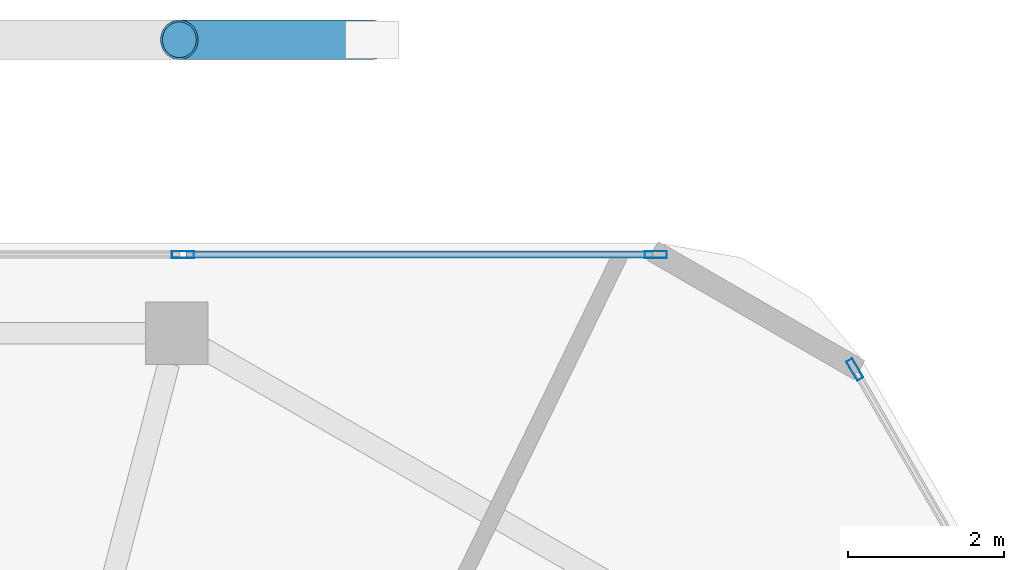
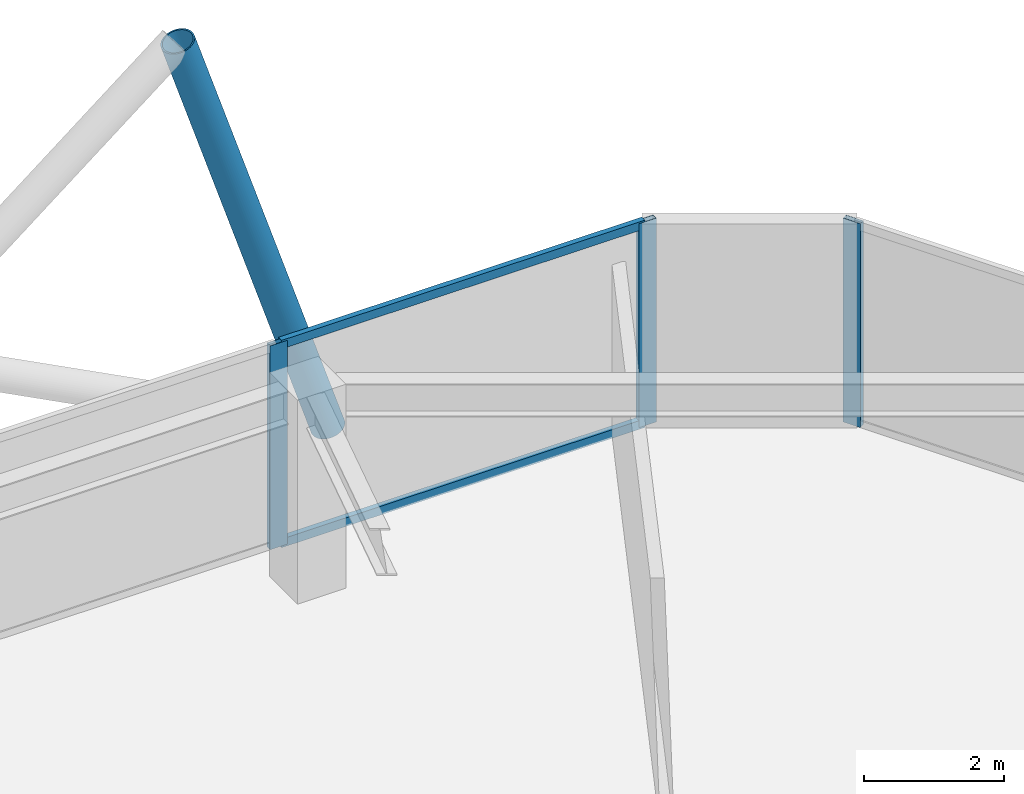
# One storey, part 14 of 23: 6 members, 2 elements without a shape of their own.
"""IFC4 building model written with IfcOpenShell, lengths in metres."""

import ifcopenshell
import ifcopenshell.guid

model = None  # the IFC model being written
_history = None  # IfcOwnerHistory: only IFC2X3 demands one
_inside = {}  # id of a spatial element -> (the spatial element, [elements in it])
_under = {}  # id of a project, library or spatial element -> (it, [spatial elements below it])
_declared = {}  # id of a project -> (the project, [libraries it declares])
_typed = {}  # id of a type object -> (the type object, [elements of that type])
_made_of = {}  # id of a material, layer set ... -> (it, [elements and type objects made of it])


def new_model(schema):
    """Start an empty IFC model of exactly this schema.

    Asked for "IFC4X3", IfcOpenShell would pick the latest addendum, in which some entities
    have other attributes; the version numbers below select the first issue.
    IFC2X3 requires an IfcOwnerHistory on every rooted entity: one is made here for all.
    """
    global model, _history
    if schema == "IFC4X3":
        model = ifcopenshell.file(schema_version=(4, 3, 0, 0))
    else:
        model = ifcopenshell.file(schema=schema)
    _inside.clear()
    _under.clear()
    _declared.clear()
    _typed.clear()
    _made_of.clear()
    _history = None
    if model.schema == "IFC2X3":
        org = make("IfcOrganization", Name="unknown")
        user = make(
            "IfcPersonAndOrganization",
            ThePerson=make("IfcPerson", FamilyName="unknown"),
            TheOrganization=org,
        )
        app = make(
            "IfcApplication",
            ApplicationDeveloper=org,
            Version="unknown",
            ApplicationFullName="unknown",
            ApplicationIdentifier="unknown",
        )
        _history = make(
            "IfcOwnerHistory",
            OwningUser=user,
            OwningApplication=app,
            ChangeAction="ADDED",
            CreationDate=0,
        )
    return model


def make(cls, **values):
    """One entity of the class cls with the attributes given. An attribute that is None is left unset."""
    return model.create_entity(
        cls, **{name: value for name, value in values.items() if value is not None}
    )


def rooted(cls, **values):
    """An entity with a GlobalId (a new one), such as an element, a storey or a relation."""
    return make(cls, GlobalId=ifcopenshell.guid.new(), OwnerHistory=_history, **values)


def si_unit(unit_type, name, prefix=None):
    """IfcSIUnit, for example si_unit("LENGTHUNIT", "METRE", prefix="MILLI")."""
    return make("IfcSIUnit", UnitType=unit_type, Prefix=prefix, Name=name)


def assignment(units):
    """IfcUnitAssignment: the units of a project."""
    return None if units is None else make("IfcUnitAssignment", Units=units)


def point(xyz):
    """IfcCartesianPoint."""
    return None if xyz is None else make("IfcCartesianPoint", Coordinates=xyz)


def direction(xyz):
    """IfcDirection."""
    return None if xyz is None else make("IfcDirection", DirectionRatios=xyz)


def frame(location, z_axis=None, x_axis=None):
    """IfcAxis2Placement3D, a coordinate frame: its origin and axes. An axis left out is left unset."""
    return make(
        "IfcAxis2Placement3D",
        Location=point(location),
        Axis=direction(z_axis),
        RefDirection=direction(x_axis),
    )


def frame_2d(location, x_axis=None):
    """IfcAxis2Placement2D, a coordinate frame in the plane: its origin and x axis."""
    return make(
        "IfcAxis2Placement2D", Location=point(location), RefDirection=direction(x_axis)
    )


def origin():
    """The frame at (0, 0, 0) with its axes left unset."""
    return frame((0.0, 0.0, 0.0))


def origin_2d():
    """The frame at (0, 0) in the plane with its x axis left unset."""
    return frame_2d((0.0, 0.0))


def place(relative_to, where):
    """IfcLocalPlacement: puts the frame where relative to a parent placement (None: the world)."""
    return make(
        "IfcLocalPlacement", PlacementRelTo=relative_to, RelativePlacement=where
    )


def context(
    kind, dimensions, precision=None, world=None, true_north=None, identifier=None
):
    """IfcGeometricRepresentationContext, for example the 3D "Model" context."""
    return make(
        "IfcGeometricRepresentationContext",
        ContextIdentifier=identifier,
        ContextType=kind,
        CoordinateSpaceDimension=dimensions,
        Precision=precision,
        WorldCoordinateSystem=world,
        TrueNorth=true_north,
    )


def subcontext(parent, identifier, kind, view, scale=None):
    """IfcGeometricRepresentationSubContext, for example "Body" below "Model"."""
    return make(
        "IfcGeometricRepresentationSubContext",
        ContextIdentifier=identifier,
        ContextType=kind,
        ParentContext=parent,
        TargetScale=scale,
        TargetView=view,
    )


def project(units=None, contexts=None):
    """IfcProject with its units and contexts."""
    return rooted(
        "IfcProject",
        Name="project",
        RepresentationContexts=contexts,
        UnitsInContext=assignment(units),
    )


def spatial(cls, under=None, at=None, **own):
    """A site, building, storey or space (cls), placed at a placement, below another one or the project."""
    s = rooted(cls, ObjectPlacement=at, **own)
    if under is not None:
        _under.setdefault(under.id(), (under, []))[1].append(s)
    return s


def profile(cls, at=None, kind="AREA", **sizes):
    """A parametric profile (cls). Its sizes go by their IFC names, for example OverallWidth=200.0."""
    return make(cls, ProfileType=kind, Position=at, **sizes)


def hollow_rectangle(**sizes):
    """IfcRectangleHollowProfileDef."""
    return profile("IfcRectangleHollowProfileDef", **sizes)


def hollow_circle(**sizes):
    """IfcCircleHollowProfileDef."""
    return profile("IfcCircleHollowProfileDef", **sizes)


def extrude(swept, where, along, depth):
    """IfcExtrudedAreaSolid: the profile swept, set in the frame where, extruded along a direction by depth."""
    return make(
        "IfcExtrudedAreaSolid",
        SweptArea=swept,
        Position=where,
        ExtrudedDirection=direction(along),
        Depth=depth,
    )


def shape(context_of_items, identifier, shape_type, items):
    """IfcShapeRepresentation: the items that make up one representation, for example the "Body"."""
    return make(
        "IfcShapeRepresentation",
        ContextOfItems=context_of_items,
        RepresentationIdentifier=identifier,
        RepresentationType=shape_type,
        Items=items,
    )


def material(Name=None, Category=None):
    """IfcMaterial."""
    return make("IfcMaterial", Name=Name, Category=Category)


def material_profile(
    of_material, cross_section, Name=None, Category=None, Priority=None
):
    """IfcMaterialProfile: a cross section and its material."""
    return make(
        "IfcMaterialProfile",
        Name=Name,
        Material=of_material,
        Profile=cross_section,
        Priority=Priority,
        Category=Category,
    )


def profile_set(profiles, Name=None, composite=None):
    """IfcMaterialProfileSet."""
    return make(
        "IfcMaterialProfileSet",
        Name=Name,
        MaterialProfiles=profiles,
        CompositeProfile=composite,
    )


def made_of(thing, what):
    """Note that an element or type object is made of a material, layer set ...; save() writes the relation."""
    if what is not None:
        _made_of.setdefault(what.id(), (what, []))[1].append(thing)
    return thing


def type_object(cls, material=None, **own):
    """A type object (cls), such as IfcWallType, which elements share."""
    return made_of(rooted(cls, **own), material)


def element(
    cls,
    number,
    at=None,
    inside=None,
    cuts=None,
    type_object=None,
    material=None,
    context=None,
    identifier="Body",
    shape_type=None,
    held_by="IfcProductDefinitionShape",
    body=None,
    shapes=None,
    **own,
):
    """One element of the class cls, such as IfcWall. Its Tag is "e" and its number.

    at: its placement. inside: the storey or other place that contains it. cuts: it is an
    opening in that element (IfcRelVoidsElement). A single representation is given by context,
    identifier, shape_type and body (its items); several are given by shapes. held_by: the class
    of the entity that holds the representations. save() writes the other relations.
    """
    e = rooted(cls, Tag="e%d" % number, ObjectPlacement=at, **own)
    if body is not None:
        shapes = [shape(context, identifier, shape_type, body)]
    if shapes is not None:
        e.Representation = make(held_by, Representations=shapes)
    if inside is not None:
        _inside.setdefault(inside.id(), (inside, []))[1].append(e)
    if cuts is not None:
        rooted(
            "IfcRelVoidsElement", RelatingBuildingElement=cuts, RelatedOpeningElement=e
        )
    if type_object is not None:
        _typed.setdefault(type_object.id(), (type_object, []))[1].append(e)
    return made_of(e, material)


def aggregate(whole, parts):
    """IfcRelAggregates: a whole, such as a stair, and the parts it consists of."""
    return rooted("IfcRelAggregates", RelatingObject=whole, RelatedObjects=parts)


def save(model, path):
    """Write the relations noted so far, then the file.

    IfcRelAggregates (storeys below a building ...), IfcRelContainedInSpatialStructure (elements
    in a storey), IfcRelDefinesByType, IfcRelAssociatesMaterial and IfcRelDeclares: one each for
    every whole, place, type object, material and project.
    """
    for whole, parts in _under.values():
        aggregate(whole, parts)
    for where, things in _inside.values():
        rooted(
            "IfcRelContainedInSpatialStructure",
            RelatedElements=things,
            RelatingStructure=where,
        )
    for kind, things in _typed.values():
        rooted("IfcRelDefinesByType", RelatedObjects=things, RelatingType=kind)
    for what, things in _made_of.values():
        rooted("IfcRelAssociatesMaterial", RelatedObjects=things, RelatingMaterial=what)
    for by, libraries in _declared.values():
        rooted("IfcRelDeclares", RelatingContext=by, RelatedDefinitions=libraries)
    model.write(path)


model = new_model("IFC4")

# Units and contexts
model_context = context("Model", 3, precision=1e-05, world=origin(), true_north=direction((0.0, 1.0)))
body_context = subcontext(model_context, "Body", "Model", "MODEL_VIEW")
ifc_project = project(units=[si_unit("LENGTHUNIT", "METRE"), si_unit("AREAUNIT", "SQUARE_METRE"), si_unit("VOLUMEUNIT", "CUBIC_METRE"), si_unit("PLANEANGLEUNIT", "RADIAN"), si_unit("MASSUNIT", "GRAM", prefix="KILO")], contexts=[model_context])

# Site, building, storey
site_placement = place(None, origin())
site = spatial("IfcSite", under=ifc_project, at=site_placement, CompositionType="ELEMENT")
building_placement = place(site_placement, origin())
building = spatial("IfcBuilding", under=site, at=building_placement, Name="Zuhravey Tower", CompositionType="ELEMENT")
storey_placement = place(building_placement, frame((0.0, 0.0, 315.800048828125)))
storey = spatial("IfcBuildingStorey", under=building, at=storey_placement, Name="L80", CompositionType="ELEMENT", Elevation=315.800048828125)

# Curtain wall, members
ifc_material_1 = material(Name="Thermally broken anodised aluminium", Category="aluminium")
curtain_wall_type = type_object("IfcCurtainWallType", Name="Zone 3-4 High-Rise Curtain Wall CW4", PredefinedType="NOTDEFINED", material=ifc_material_1)
curtain_wall_1_placement = place(storey_placement, origin())
curtain_wall_1 = element("IfcCurtainWall", 1, at=curtain_wall_1_placement, inside=storey, type_object=curtain_wall_type, Name="L80 CW4 CW-L80-F2-1", PredefinedType="NOTDEFINED")
ifc_material_2 = material(Name="Anodised aluminium", Category="aluminium")
ifc_material_profile_1 = material_profile(ifc_material_2, hollow_rectangle(XDim=0.090087890625, YDim=0.284912109375, WallThickness=0.0048828125, at=origin_2d()), Name="ALU-RHS-90x285x5")
ifc_profile_set_1 = profile_set([ifc_material_profile_1], Name="Anodised aluminium")
member_type_1 = type_object("IfcMemberType", Name="Curtain-Wall Mullion 90x180", PredefinedType="MULLION", material=ifc_profile_set_1)
member_1_placement = place(storey_placement, frame((42.11962890625, 56.07421875, 0.0), z_axis=(0.0, 0.0, 1.0), x_axis=(0.0, 1.0, 0.0)))
member_1 = element("IfcMember", 2, at=member_1_placement, type_object=member_type_1, Name="CW4 mullion 4", PredefinedType="MULLION", context=body_context, shape_type="SweptSolid", body=[
    extrude(hollow_rectangle(XDim=0.090087890625, YDim=0.284912109375, WallThickness=0.0048828125, at=origin_2d()), origin(), (0.0, 0.0, 1.0), 3.550048828125),
])
member_2_placement = place(storey_placement, frame((48.1943359375, 56.07421875, 0.0), z_axis=(0.0, 0.0, 1.0), x_axis=(0.0, 1.0, 0.0)))
member_2 = element("IfcMember", 3, at=member_2_placement, type_object=member_type_1, Name="CW4 mullion 5", PredefinedType="MULLION", context=body_context, shape_type="SweptSolid", body=[
    extrude(hollow_rectangle(XDim=0.090087890625, YDim=0.284912109375, WallThickness=0.0048828125, at=origin_2d()), origin(), (0.0, 0.0, 1.0), 3.550048828125),
])

# Curtain wall, member
curtain_wall_2_placement = place(storey_placement, origin())
curtain_wall_2 = element("IfcCurtainWall", 4, at=curtain_wall_2_placement, inside=storey, type_object=curtain_wall_type, Name="L80 CW4 CW-L80-F1-1", PredefinedType="NOTDEFINED")
member_3_placement = place(storey_placement, frame((50.751708984375, 54.59765625, 0.0), z_axis=(0.0, 0.0, 1.0), x_axis=(0.866025511541, 0.49999981336, 0.0)))
member_3 = element("IfcMember", 5, at=member_3_placement, type_object=member_type_1, Name="CW4 mullion 1", PredefinedType="MULLION", context=body_context, shape_type="SweptSolid", body=[
    extrude(hollow_rectangle(XDim=0.090087890625, YDim=0.284912109375, WallThickness=0.0048828125, at=origin_2d()), origin(), (0.0, 0.0, 1.0), 3.550048828125),
])
aggregate(curtain_wall_2, [member_3])

# Member
ifc_material_profile_2 = material_profile(ifc_material_2, hollow_rectangle(XDim=0.090087890625, YDim=0.14990234375, WallThickness=0.0048828125, at=origin_2d()), Name="ALU-RHS-90x150x5")
ifc_profile_set_2 = profile_set([ifc_material_profile_2], Name="Anodised aluminium")
member_type_2 = type_object("IfcMemberType", Name="Curtain-Wall Transom 90x150", PredefinedType="USERDEFINED", material=ifc_profile_set_2)
member_4_placement = place(storey_placement, frame((42.16455078125, 56.07421875, 0.044921875), z_axis=(1.0, 0.0, 0.0), x_axis=(0.0, 1.0, 0.0)))
member_4 = element("IfcMember", 6, at=member_4_placement, type_object=member_type_2, Name="CW4 transom 4.1", ObjectType="TRANSOM", PredefinedType="USERDEFINED", context=body_context, shape_type="SweptSolid", body=[
    extrude(hollow_rectangle(XDim=0.090087890625, YDim=0.14990234375, WallThickness=0.0048828125, at=origin_2d()), origin(), (0.0, 0.0, 1.0), 5.98486328125),
])

member_5_placement = place(storey_placement, frame((42.16455078125, 56.07421875, 3.5048828125), z_axis=(1.0, 0.0, 0.0), x_axis=(0.0, 1.0, 0.0)))
member_5 = element("IfcMember", 7, at=member_5_placement, type_object=member_type_2, Name="CW4 transom 4.2", ObjectType="TRANSOM", PredefinedType="USERDEFINED", context=body_context, shape_type="SweptSolid", body=[
    extrude(hollow_rectangle(XDim=0.090087890625, YDim=0.14990234375, WallThickness=0.0048828125, at=origin_2d()), origin(), (0.0, 0.0, 1.0), 5.98486328125),
])

aggregate(curtain_wall_1, [member_1, member_2, member_4, member_5])

ifc_material_3 = material(Name="Steel SM355", Category="steel")
ifc_material_profile_3 = material_profile(ifc_material_3, hollow_circle(Radius=0.25390625, WallThickness=0.02490234375, at=origin_2d()), Name="CHS-508.0x25")
ifc_profile_set_3 = profile_set([ifc_material_profile_3], Name="Steel SM355")
member_type_3 = type_object("IfcMemberType", Name="Exoskeleton Zone 4 Diagrid CHS508x25", PredefinedType="BRACE", material=ifc_profile_set_3)
member_6_placement = place(storey_placement, frame((44.544189453125, 58.833984375, -0.447998046875), z_axis=(-0.31046285921, 0.0, 0.950585510647), x_axis=(0.0, -1.0, 0.0)))
element("IfcMember", 8, at=member_6_placement, inside=storey, type_object=member_type_3, Name="L80 Face 2 Diagrid Brace 1", PredefinedType="BRACE", context=body_context, shape_type="SweptSolid", body=[
    extrude(hollow_circle(Radius=0.25390625, WallThickness=0.02490234375, at=origin_2d()), origin(), (0.0, 0.0, 1.0), 7.961181640625),
])

save(model, "model.ifc")
